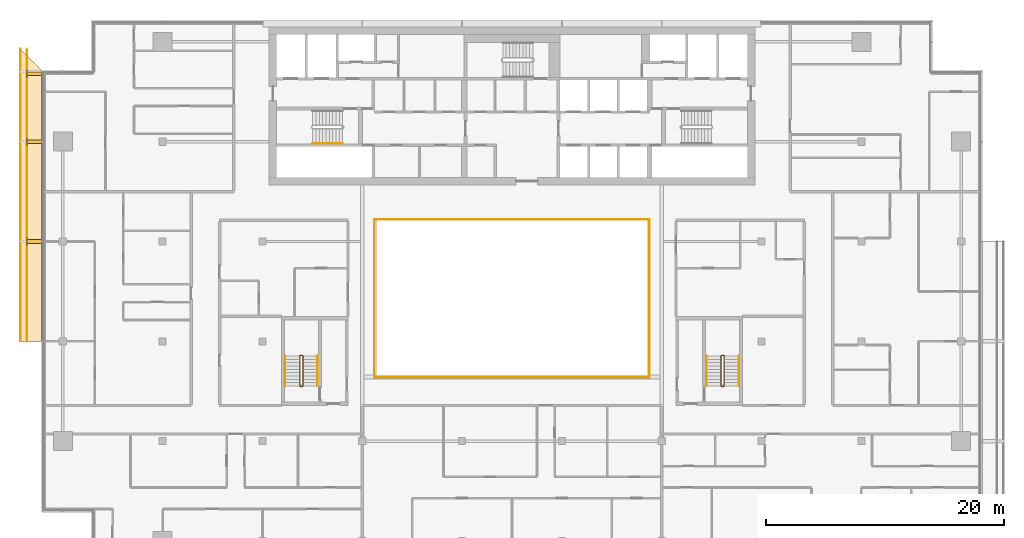
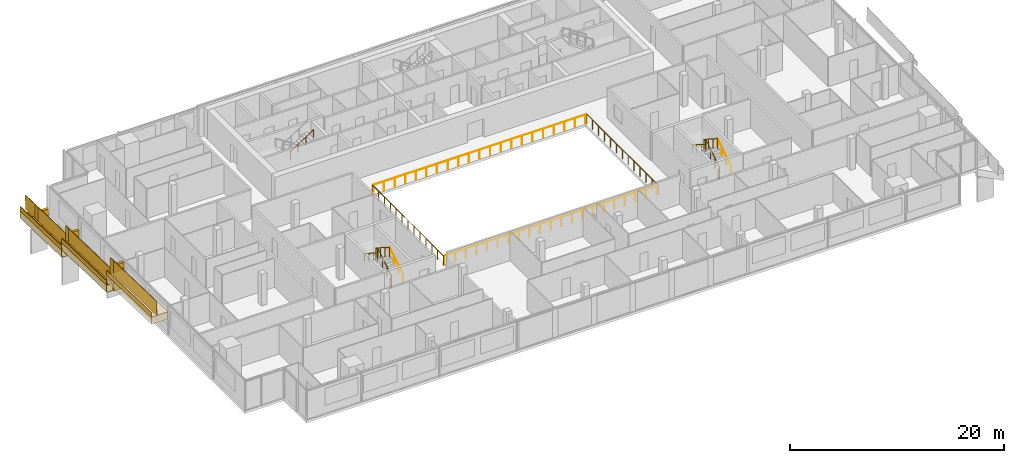
# One storey, part 26 of 28: 17 railings, 9 coverings.
"""IFC4 building model written with IfcOpenShell, lengths in metres."""

from ifc_helpers import new_model, si_unit, direction, frame, origin, origin_2d, place, context, subcontext, project, spatial, polyline, rectangle, circle, outline, extrude, material, layer, layer_set, type_object, element, save


model = new_model("IFC4")

# Units and contexts
model_context = context("Model", 3, precision=1e-05, world=origin(), true_north=direction((0.0, 1.0)))
body_context = subcontext(model_context, "Body", "Model", "MODEL_VIEW")
ifc_project = project(units=[si_unit("LENGTHUNIT", "METRE"), si_unit("AREAUNIT", "SQUARE_METRE"), si_unit("VOLUMEUNIT", "CUBIC_METRE"), si_unit("PLANEANGLEUNIT", "RADIAN"), si_unit("MASSUNIT", "GRAM", prefix="KILO")], contexts=[model_context])

# Site, building, storey
site_placement = place(None, origin())
site = spatial("IfcSite", under=ifc_project, at=site_placement, CompositionType="ELEMENT")
building_placement = place(site_placement, origin())
building = spatial("IfcBuilding", under=site, at=building_placement, Name="Saffron Gate Tower", CompositionType="ELEMENT")
storey_placement = place(building_placement, frame((0.0, 0.0, 241.5)))
storey = spatial("IfcBuildingStorey", under=building, at=storey_placement, Name="L59", CompositionType="ELEMENT", Elevation=241.5)

# Railings
ifc_material_1 = material(Name="Stainless steel and laminated glass", Category="steel")
railing_type_1 = type_object("IfcRailingType", Name="AG1 Atrium edge guard 1100", PredefinedType="GUARDRAIL", material=ifc_material_1)
railing_1_placement = place(storey_placement, frame((76.02001953125, 45.5400390625, 0.0)))
element("IfcRailing", 1, at=railing_1_placement, inside=storey, type_object=railing_type_1, Name="Guard D4-1", PredefinedType="GUARDRAIL", context=body_context, shape_type="SweptSolid", body=[
    extrude(circle(Radius=0.02392578125, at=origin_2d()), frame((0.0, 0.0, 1.076171875), z_axis=(0.0, 1.0, 0.0), x_axis=(-1.0, 0.0, 0.0)), (0.0, 0.0, 1.0), 13.320068359375),
    extrude(circle(Radius=0.02099609375, at=origin_2d()), origin(), (0.0, 0.0, 1.0), 1.052001953125),
    extrude(circle(Radius=0.02099609375, at=origin_2d()), frame((0.0, 1.110107421875, 0.0)), (0.0, 0.0, 1.0), 1.052001953125),
    extrude(circle(Radius=0.02099609375, at=origin_2d()), frame((0.0, 2.219970703125, 0.0)), (0.0, 0.0, 1.0), 1.052001953125),
    extrude(circle(Radius=0.02099609375, at=origin_2d()), frame((0.0, 3.330078125, 0.0)), (0.0, 0.0, 1.0), 1.052001953125),
    extrude(circle(Radius=0.02099609375, at=origin_2d()), frame((0.0, 4.43994140625, 0.0)), (0.0, 0.0, 1.0), 1.052001953125),
    extrude(circle(Radius=0.02099609375, at=origin_2d()), frame((0.0, 5.550048828125, 0.0)), (0.0, 0.0, 1.0), 1.052001953125),
    extrude(circle(Radius=0.02099609375, at=origin_2d()), frame((0.0, 6.66015625, 0.0)), (0.0, 0.0, 1.0), 1.052001953125),
    extrude(circle(Radius=0.02099609375, at=origin_2d()), frame((0.0, 7.77001953125, 0.0)), (0.0, 0.0, 1.0), 1.052001953125),
    extrude(circle(Radius=0.02099609375, at=origin_2d()), frame((0.0, 8.880126953125, 0.0)), (0.0, 0.0, 1.0), 1.052001953125),
    extrude(circle(Radius=0.02099609375, at=origin_2d()), frame((0.0, 9.989990234375, 0.0)), (0.0, 0.0, 1.0), 1.052001953125),
    extrude(circle(Radius=0.02099609375, at=origin_2d()), frame((0.0, 11.10009765625, 0.0)), (0.0, 0.0, 1.0), 1.052001953125),
    extrude(circle(Radius=0.02099609375, at=origin_2d()), frame((0.0, 12.2099609375, 0.0)), (0.0, 0.0, 1.0), 1.052001953125),
    extrude(circle(Radius=0.02099609375, at=origin_2d()), frame((0.0, 13.320068359375, 0.0)), (0.0, 0.0, 1.0), 1.052001953125),
])
railing_2_placement = place(storey_placement, frame((76.139892578125, 58.860107421875, 0.0)))
element("IfcRailing", 2, at=railing_2_placement, inside=storey, type_object=railing_type_1, Name="Guard D4-2", PredefinedType="GUARDRAIL", context=body_context, shape_type="SweptSolid", body=[
    extrude(circle(Radius=0.02392578125, at=origin_2d()), frame((0.0, 0.0, 1.076171875), z_axis=(1.0, 0.0, 0.0), x_axis=(0.0, 1.0, 0.0)), (0.0, 0.0, 1.0), 22.920166015625),
    extrude(circle(Radius=0.02099609375, at=origin_2d()), origin(), (0.0, 0.0, 1.0), 1.052001953125),
    extrude(circle(Radius=0.02099609375, at=origin_2d()), frame((1.14599609375, 0.0, 0.0)), (0.0, 0.0, 1.0), 1.052001953125),
    extrude(circle(Radius=0.02099609375, at=origin_2d()), frame((2.2919921875, 0.0, 0.0)), (0.0, 0.0, 1.0), 1.052001953125),
    extrude(circle(Radius=0.02099609375, at=origin_2d()), frame((3.43798828125, 0.0, 0.0)), (0.0, 0.0, 1.0), 1.052001953125),
    extrude(circle(Radius=0.02099609375, at=origin_2d()), frame((4.583984375, 0.0, 0.0)), (0.0, 0.0, 1.0), 1.052001953125),
    extrude(circle(Radius=0.02099609375, at=origin_2d()), frame((5.72998046875, 0.0, 0.0)), (0.0, 0.0, 1.0), 1.052001953125),
    extrude(circle(Radius=0.02099609375, at=origin_2d()), frame((6.8759765625, 0.0, 0.0)), (0.0, 0.0, 1.0), 1.052001953125),
    extrude(circle(Radius=0.02099609375, at=origin_2d()), frame((8.02197265625, 0.0, 0.0)), (0.0, 0.0, 1.0), 1.052001953125),
    extrude(circle(Radius=0.02099609375, at=origin_2d()), frame((9.16796875, 0.0, 0.0)), (0.0, 0.0, 1.0), 1.052001953125),
    extrude(circle(Radius=0.02099609375, at=origin_2d()), frame((10.31396484375, 0.0, 0.0)), (0.0, 0.0, 1.0), 1.052001953125),
    extrude(circle(Radius=0.02099609375, at=origin_2d()), frame((11.4599609375, 0.0, 0.0)), (0.0, 0.0, 1.0), 1.052001953125),
    extrude(circle(Radius=0.02099609375, at=origin_2d()), frame((12.606201171875, 0.0, 0.0)), (0.0, 0.0, 1.0), 1.052001953125),
    extrude(circle(Radius=0.02099609375, at=origin_2d()), frame((13.752197265625, 0.0, 0.0)), (0.0, 0.0, 1.0), 1.052001953125),
    extrude(circle(Radius=0.02099609375, at=origin_2d()), frame((14.898193359375, 0.0, 0.0)), (0.0, 0.0, 1.0), 1.052001953125),
    extrude(circle(Radius=0.02099609375, at=origin_2d()), frame((16.044189453125, 0.0, 0.0)), (0.0, 0.0, 1.0), 1.052001953125),
    extrude(circle(Radius=0.02099609375, at=origin_2d()), frame((17.190185546875, 0.0, 0.0)), (0.0, 0.0, 1.0), 1.052001953125),
    extrude(circle(Radius=0.02099609375, at=origin_2d()), frame((18.336181640625, 0.0, 0.0)), (0.0, 0.0, 1.0), 1.052001953125),
    extrude(circle(Radius=0.02099609375, at=origin_2d()), frame((19.482177734375, 0.0, 0.0)), (0.0, 0.0, 1.0), 1.052001953125),
    extrude(circle(Radius=0.02099609375, at=origin_2d()), frame((20.628173828125, 0.0, 0.0)), (0.0, 0.0, 1.0), 1.052001953125),
    extrude(circle(Radius=0.02099609375, at=origin_2d()), frame((21.774169921875, 0.0, 0.0)), (0.0, 0.0, 1.0), 1.052001953125),
    extrude(circle(Radius=0.02099609375, at=origin_2d()), frame((22.920166015625, 0.0, 0.0)), (0.0, 0.0, 1.0), 1.052001953125),
])
railing_3_placement = place(storey_placement, frame((99.179931640625, 58.860107421875, 0.0)))
element("IfcRailing", 3, at=railing_3_placement, inside=storey, type_object=railing_type_1, Name="Guard D4-3", PredefinedType="GUARDRAIL", context=body_context, shape_type="SweptSolid", body=[
    extrude(circle(Radius=0.02392578125, at=origin_2d()), frame((0.0, 0.0, 1.076171875), z_axis=(0.0, -1.0, 0.0), x_axis=(1.0, 0.0, 0.0)), (0.0, 0.0, 1.0), 13.320068359375),
    extrude(circle(Radius=0.02099609375, at=origin_2d()), origin(), (0.0, 0.0, 1.0), 1.052001953125),
    extrude(circle(Radius=0.02099609375, at=origin_2d()), frame((0.0, -1.110107421875, 0.0)), (0.0, 0.0, 1.0), 1.052001953125),
    extrude(circle(Radius=0.02099609375, at=origin_2d()), frame((0.0, -2.219970703125, 0.0)), (0.0, 0.0, 1.0), 1.052001953125),
    extrude(circle(Radius=0.02099609375, at=origin_2d()), frame((0.0, -3.330078125, 0.0)), (0.0, 0.0, 1.0), 1.052001953125),
    extrude(circle(Radius=0.02099609375, at=origin_2d()), frame((0.0, -4.43994140625, 0.0)), (0.0, 0.0, 1.0), 1.052001953125),
    extrude(circle(Radius=0.02099609375, at=origin_2d()), frame((0.0, -5.550048828125, 0.0)), (0.0, 0.0, 1.0), 1.052001953125),
    extrude(circle(Radius=0.02099609375, at=origin_2d()), frame((0.0, -6.66015625, 0.0)), (0.0, 0.0, 1.0), 1.052001953125),
    extrude(circle(Radius=0.02099609375, at=origin_2d()), frame((0.0, -7.77001953125, 0.0)), (0.0, 0.0, 1.0), 1.052001953125),
    extrude(circle(Radius=0.02099609375, at=origin_2d()), frame((0.0, -8.880126953125, 0.0)), (0.0, 0.0, 1.0), 1.052001953125),
    extrude(circle(Radius=0.02099609375, at=origin_2d()), frame((0.0, -9.989990234375, 0.0)), (0.0, 0.0, 1.0), 1.052001953125),
    extrude(circle(Radius=0.02099609375, at=origin_2d()), frame((0.0, -11.10009765625, 0.0)), (0.0, 0.0, 1.0), 1.052001953125),
    extrude(circle(Radius=0.02099609375, at=origin_2d()), frame((0.0, -12.2099609375, 0.0)), (0.0, 0.0, 1.0), 1.052001953125),
    extrude(circle(Radius=0.02099609375, at=origin_2d()), frame((0.0, -13.320068359375, 0.0)), (0.0, 0.0, 1.0), 1.052001953125),
])
railing_4_placement = place(storey_placement, frame((99.06005859375, 45.5400390625, 0.0)))
element("IfcRailing", 4, at=railing_4_placement, inside=storey, type_object=railing_type_1, Name="Guard D4-4", PredefinedType="GUARDRAIL", context=body_context, shape_type="SweptSolid", body=[
    extrude(circle(Radius=0.02392578125, at=origin_2d()), frame((0.0, 0.0, 1.076171875), z_axis=(-1.0, 0.0, 0.0), x_axis=(0.0, -1.0, 0.0)), (0.0, 0.0, 1.0), 22.920166015625),
    extrude(circle(Radius=0.02099609375, at=origin_2d()), origin(), (0.0, 0.0, 1.0), 1.052001953125),
    extrude(circle(Radius=0.02099609375, at=origin_2d()), frame((-1.14599609375, 0.0, 0.0)), (0.0, 0.0, 1.0), 1.052001953125),
    extrude(circle(Radius=0.02099609375, at=origin_2d()), frame((-2.2919921875, 0.0, 0.0)), (0.0, 0.0, 1.0), 1.052001953125),
    extrude(circle(Radius=0.02099609375, at=origin_2d()), frame((-3.43798828125, 0.0, 0.0)), (0.0, 0.0, 1.0), 1.052001953125),
    extrude(circle(Radius=0.02099609375, at=origin_2d()), frame((-4.583984375, 0.0, 0.0)), (0.0, 0.0, 1.0), 1.052001953125),
    extrude(circle(Radius=0.02099609375, at=origin_2d()), frame((-5.72998046875, 0.0, 0.0)), (0.0, 0.0, 1.0), 1.052001953125),
    extrude(circle(Radius=0.02099609375, at=origin_2d()), frame((-6.8759765625, 0.0, 0.0)), (0.0, 0.0, 1.0), 1.052001953125),
    extrude(circle(Radius=0.02099609375, at=origin_2d()), frame((-8.02197265625, 0.0, 0.0)), (0.0, 0.0, 1.0), 1.052001953125),
    extrude(circle(Radius=0.02099609375, at=origin_2d()), frame((-9.16796875, 0.0, 0.0)), (0.0, 0.0, 1.0), 1.052001953125),
    extrude(circle(Radius=0.02099609375, at=origin_2d()), frame((-10.31396484375, 0.0, 0.0)), (0.0, 0.0, 1.0), 1.052001953125),
    extrude(circle(Radius=0.02099609375, at=origin_2d()), frame((-11.4599609375, 0.0, 0.0)), (0.0, 0.0, 1.0), 1.052001953125),
    extrude(circle(Radius=0.02099609375, at=origin_2d()), frame((-12.606201171875, 0.0, 0.0)), (0.0, 0.0, 1.0), 1.052001953125),
    extrude(circle(Radius=0.02099609375, at=origin_2d()), frame((-13.752197265625, 0.0, 0.0)), (0.0, 0.0, 1.0), 1.052001953125),
    extrude(circle(Radius=0.02099609375, at=origin_2d()), frame((-14.898193359375, 0.0, 0.0)), (0.0, 0.0, 1.0), 1.052001953125),
    extrude(circle(Radius=0.02099609375, at=origin_2d()), frame((-16.044189453125, 0.0, 0.0)), (0.0, 0.0, 1.0), 1.052001953125),
    extrude(circle(Radius=0.02099609375, at=origin_2d()), frame((-17.190185546875, 0.0, 0.0)), (0.0, 0.0, 1.0), 1.052001953125),
    extrude(circle(Radius=0.02099609375, at=origin_2d()), frame((-18.336181640625, 0.0, 0.0)), (0.0, 0.0, 1.0), 1.052001953125),
    extrude(circle(Radius=0.02099609375, at=origin_2d()), frame((-19.482177734375, 0.0, 0.0)), (0.0, 0.0, 1.0), 1.052001953125),
    extrude(circle(Radius=0.02099609375, at=origin_2d()), frame((-20.628173828125, 0.0, 0.0)), (0.0, 0.0, 1.0), 1.052001953125),
    extrude(circle(Radius=0.02099609375, at=origin_2d()), frame((-21.774169921875, 0.0, 0.0)), (0.0, 0.0, 1.0), 1.052001953125),
    extrude(circle(Radius=0.02099609375, at=origin_2d()), frame((-22.920166015625, 0.0, 0.0)), (0.0, 0.0, 1.0), 1.052001953125),
])
railing_type_2 = type_object("IfcRailingType", Name="CR1 Stair guard 1100", PredefinedType="GUARDRAIL", material=ifc_material_1)
railing_5_placement = place(storey_placement, frame((69.800048828125, 44.800048828125, 0.0)))
element("IfcRailing", 5, at=railing_5_placement, inside=storey, type_object=railing_type_2, Name="L59 ST-D stair guard 1", PredefinedType="GUARDRAIL", context=body_context, shape_type="SweptSolid", body=[
    extrude(circle(Radius=0.02392578125, at=origin_2d()), frame((0.0, 0.0, 1.076171875), z_axis=(1.0, 0.0, 0.0), x_axis=(0.0, 1.0, 0.0)), (0.0, 0.0, 1.0), 0.14990234375),
    extrude(circle(Radius=0.02392578125, at=origin_2d()), frame((0.14990234375, 0.0, 1.076171875), z_axis=(0.258847668887, 0.258847668887, 0.930588936439), x_axis=(-0.707106781187, 0.707106781187, 0.0)), (0.0, 0.0, 1.0), 0.193359375),
    extrude(circle(Radius=0.02392578125, at=origin_2d()), frame((0.199951171875, 0.050048828125, 1.255859375), z_axis=(0.0, 0.841162588446, 0.540782303519), x_axis=(-1.0, 0.0, 0.0)), (0.0, 0.0, 1.0), 2.995849609375),
    extrude(circle(Radius=0.02392578125, at=origin_2d()), frame((0.199951171875, 2.570068359375, 2.8759765625), z_axis=(-0.708833529934, 0.705375805398, 0.0), x_axis=(-0.705375805398, -0.708833529934, 0.0)), (0.0, 0.0, 1.0), 0.070556640625),
    extrude(circle(Radius=0.02392578125, at=origin_2d()), frame((0.14990234375, 2.619873046875, 2.8759765625), z_axis=(-1.0, 0.0, 0.0), x_axis=(0.0, -1.0, 0.0)), (0.0, 0.0, 1.0), 0.14990234375),
    extrude(circle(Radius=0.02392578125, at=origin_2d()), frame((0.0, 2.619873046875, 2.8759765625), z_axis=(-0.258932105505, -0.257669022063, 0.930892496375), x_axis=(0.705375805398, -0.708833529934, 0.0)), (0.0, 0.0, 1.0), 0.193359375),
    extrude(circle(Radius=0.02392578125, at=origin_2d()), frame((-0.050048828125, 2.570068359375, 3.05615234375), z_axis=(0.0, -0.841162588446, 0.540782303519), x_axis=(1.0, 0.0, 0.0)), (0.0, 0.0, 1.0), 2.995849609375),
    extrude(circle(Radius=0.02099609375, at=origin_2d()), origin(), (0.0, 0.0, 1.0), 1.052001953125),
    extrude(circle(Radius=0.02099609375, at=origin_2d()), frame((0.14990234375, 0.0, 0.0)), (0.0, 0.0, 1.0), 1.052001953125),
    extrude(circle(Radius=0.02099609375, at=origin_2d()), frame((0.199951171875, 0.050048828125, 0.179931640625)), (0.0, 0.0, 1.0), 1.052001953125),
    extrude(circle(Radius=0.02099609375, at=origin_2d()), frame((0.199951171875, 0.89013671875, 0.719970703125)), (0.0, 0.0, 1.0), 1.052001953125),
    extrude(circle(Radius=0.02099609375, at=origin_2d()), frame((0.199951171875, 1.72998046875, 1.260009765625)), (0.0, 0.0, 1.0), 1.052001953125),
    extrude(circle(Radius=0.02099609375, at=origin_2d()), frame((0.199951171875, 2.570068359375, 1.800048828125)), (0.0, 0.0, 1.0), 1.052001953125),
    extrude(circle(Radius=0.02099609375, at=origin_2d()), frame((0.14990234375, 2.619873046875, 1.800048828125)), (0.0, 0.0, 1.0), 1.052001953125),
    extrude(circle(Radius=0.02099609375, at=origin_2d()), frame((0.0, 2.619873046875, 1.800048828125)), (0.0, 0.0, 1.0), 1.052001953125),
    extrude(circle(Radius=0.02099609375, at=origin_2d()), frame((-0.050048828125, 2.570068359375, 1.97998046875)), (0.0, 0.0, 1.0), 1.052001953125),
    extrude(circle(Radius=0.02099609375, at=origin_2d()), frame((-0.050048828125, 1.72998046875, 2.52001953125)), (0.0, 0.0, 1.0), 1.052001953125),
    extrude(circle(Radius=0.02099609375, at=origin_2d()), frame((-0.050048828125, 0.89013671875, 3.06005859375)), (0.0, 0.0, 1.0), 1.052001953125),
    extrude(circle(Radius=0.02099609375, at=origin_2d()), frame((-0.050048828125, 0.050048828125, 3.60009765625)), (0.0, 0.0, 1.0), 1.052001953125),
])
railing_6_placement = place(storey_placement, frame((105.25, 44.800048828125, 0.0)))
element("IfcRailing", 6, at=railing_6_placement, inside=storey, type_object=railing_type_2, Name="L59 ST-E stair guard 1", PredefinedType="GUARDRAIL", context=body_context, shape_type="SweptSolid", body=[
    extrude(circle(Radius=0.02392578125, at=origin_2d()), frame((0.0, 0.0, 1.076171875), z_axis=(1.0, 0.0, 0.0), x_axis=(0.0, 1.0, 0.0)), (0.0, 0.0, 1.0), 0.14990234375),
    extrude(circle(Radius=0.02392578125, at=origin_2d()), frame((0.14990234375, 0.0, 1.076171875), z_axis=(0.258847668887, 0.258847668887, 0.930588936439), x_axis=(-0.707106781187, 0.707106781187, 0.0)), (0.0, 0.0, 1.0), 0.193359375),
    extrude(circle(Radius=0.02392578125, at=origin_2d()), frame((0.199951171875, 0.050048828125, 1.255859375), z_axis=(0.0, 0.841162588446, 0.540782303519), x_axis=(-1.0, 0.0, 0.0)), (0.0, 0.0, 1.0), 2.995849609375),
    extrude(circle(Radius=0.02392578125, at=origin_2d()), frame((0.199951171875, 2.570068359375, 2.8759765625), z_axis=(-0.708833529934, 0.705375805398, 0.0), x_axis=(-0.705375805398, -0.708833529934, 0.0)), (0.0, 0.0, 1.0), 0.070556640625),
    extrude(circle(Radius=0.02392578125, at=origin_2d()), frame((0.14990234375, 2.619873046875, 2.8759765625), z_axis=(-1.0, 0.0, 0.0), x_axis=(0.0, -1.0, 0.0)), (0.0, 0.0, 1.0), 0.14990234375),
    extrude(circle(Radius=0.02392578125, at=origin_2d()), frame((0.0, 2.619873046875, 2.8759765625), z_axis=(-0.258932105505, -0.257669022063, 0.930892496375), x_axis=(0.705375805398, -0.708833529934, 0.0)), (0.0, 0.0, 1.0), 0.193359375),
    extrude(circle(Radius=0.02392578125, at=origin_2d()), frame((-0.050048828125, 2.570068359375, 3.05615234375), z_axis=(0.0, -0.841162588446, 0.540782303519), x_axis=(1.0, 0.0, 0.0)), (0.0, 0.0, 1.0), 2.995849609375),
    extrude(circle(Radius=0.02099609375, at=origin_2d()), origin(), (0.0, 0.0, 1.0), 1.052001953125),
    extrude(circle(Radius=0.02099609375, at=origin_2d()), frame((0.14990234375, 0.0, 0.0)), (0.0, 0.0, 1.0), 1.052001953125),
    extrude(circle(Radius=0.02099609375, at=origin_2d()), frame((0.199951171875, 0.050048828125, 0.179931640625)), (0.0, 0.0, 1.0), 1.052001953125),
    extrude(circle(Radius=0.02099609375, at=origin_2d()), frame((0.199951171875, 0.89013671875, 0.719970703125)), (0.0, 0.0, 1.0), 1.052001953125),
    extrude(circle(Radius=0.02099609375, at=origin_2d()), frame((0.199951171875, 1.72998046875, 1.260009765625)), (0.0, 0.0, 1.0), 1.052001953125),
    extrude(circle(Radius=0.02099609375, at=origin_2d()), frame((0.199951171875, 2.570068359375, 1.800048828125)), (0.0, 0.0, 1.0), 1.052001953125),
    extrude(circle(Radius=0.02099609375, at=origin_2d()), frame((0.14990234375, 2.619873046875, 1.800048828125)), (0.0, 0.0, 1.0), 1.052001953125),
    extrude(circle(Radius=0.02099609375, at=origin_2d()), frame((0.0, 2.619873046875, 1.800048828125)), (0.0, 0.0, 1.0), 1.052001953125),
    extrude(circle(Radius=0.02099609375, at=origin_2d()), frame((-0.050048828125, 2.570068359375, 1.97998046875)), (0.0, 0.0, 1.0), 1.052001953125),
    extrude(circle(Radius=0.02099609375, at=origin_2d()), frame((-0.050048828125, 1.72998046875, 2.52001953125)), (0.0, 0.0, 1.0), 1.052001953125),
    extrude(circle(Radius=0.02099609375, at=origin_2d()), frame((-0.050048828125, 0.89013671875, 3.06005859375)), (0.0, 0.0, 1.0), 1.052001953125),
    extrude(circle(Radius=0.02099609375, at=origin_2d()), frame((-0.050048828125, 0.050048828125, 3.60009765625)), (0.0, 0.0, 1.0), 1.052001953125),
])
ifc_material_2 = material(Name="Stainless steel", Category="steel")
railing_type_3 = type_object("IfcRailingType", Name="CR2 Stair handrail 900", PredefinedType="HANDRAIL", material=ifc_material_2)
railing_7_placement = place(storey_placement, frame((70.830078125, 65.25, 1.97998046875)))
element("IfcRailing", 7, at=railing_7_placement, inside=storey, type_object=railing_type_3, Name="L59 ST-A stair handrail 2", PredefinedType="HANDRAIL", context=body_context, shape_type="SweptSolid", body=[
    extrude(circle(Radius=0.02392578125, at=origin_2d()), frame((0.0, 0.0, 0.8759765625), z_axis=(0.841162588446, 0.0, 0.540782303519), x_axis=(0.0, 1.0, 0.0)), (0.0, 0.0, 1.0), 2.995849609375),
    extrude(circle(Radius=0.02099609375, at=origin_2d()), origin(), (0.0, 0.0, 1.0), 0.851806640625),
    extrude(circle(Radius=0.02099609375, at=origin_2d()), frame((0.840087890625, 0.0, 0.5400390625)), (0.0, 0.0, 1.0), 0.851806640625),
    extrude(circle(Radius=0.02099609375, at=origin_2d()), frame((1.679931640625, 0.0, 1.080078125)), (0.0, 0.0, 1.0), 0.851806640625),
    extrude(circle(Radius=0.02099609375, at=origin_2d()), frame((2.52001953125, 0.0, 1.6201171875)), (0.0, 0.0, 1.0), 0.851806640625),
])
railing_8_placement = place(storey_placement, frame((71.25, 44.85009765625, 0.179931640625)))
element("IfcRailing", 8, at=railing_8_placement, inside=storey, type_object=railing_type_3, Name="L59 ST-D stair handrail 1", PredefinedType="HANDRAIL", context=body_context, shape_type="SweptSolid", body=[
    extrude(circle(Radius=0.02392578125, at=origin_2d()), frame((0.0, 0.0, 0.8759765625), z_axis=(0.0, 0.841162588446, 0.540782303519), x_axis=(-1.0, 0.0, 0.0)), (0.0, 0.0, 1.0), 2.995849609375),
    extrude(circle(Radius=0.02099609375, at=origin_2d()), origin(), (0.0, 0.0, 1.0), 0.851806640625),
    extrude(circle(Radius=0.02099609375, at=origin_2d()), frame((0.0, 0.840087890625, 0.5400390625)), (0.0, 0.0, 1.0), 0.851806640625),
    extrude(circle(Radius=0.02099609375, at=origin_2d()), frame((0.0, 1.679931640625, 1.080078125)), (0.0, 0.0, 1.0), 0.851806640625),
    extrude(circle(Radius=0.02099609375, at=origin_2d()), frame((0.0, 2.52001953125, 1.6201171875)), (0.0, 0.0, 1.0), 0.851806640625),
])
railing_9_placement = place(storey_placement, frame((68.5, 47.3701171875, 1.97998046875)))
element("IfcRailing", 9, at=railing_9_placement, inside=storey, type_object=railing_type_3, Name="L59 ST-D stair handrail 2", PredefinedType="HANDRAIL", context=body_context, shape_type="SweptSolid", body=[
    extrude(circle(Radius=0.02392578125, at=origin_2d()), frame((0.0, 0.0, 0.8759765625), z_axis=(0.0, -0.841162588446, 0.540782303519), x_axis=(1.0, 0.0, 0.0)), (0.0, 0.0, 1.0), 2.995849609375),
    extrude(circle(Radius=0.02099609375, at=origin_2d()), origin(), (0.0, 0.0, 1.0), 0.851806640625),
    extrude(circle(Radius=0.02099609375, at=origin_2d()), frame((0.0, -0.840087890625, 0.5400390625)), (0.0, 0.0, 1.0), 0.851806640625),
    extrude(circle(Radius=0.02099609375, at=origin_2d()), frame((0.0, -1.679931640625, 1.080078125)), (0.0, 0.0, 1.0), 0.851806640625),
    extrude(circle(Radius=0.02099609375, at=origin_2d()), frame((0.0, -2.52001953125, 1.6201171875)), (0.0, 0.0, 1.0), 0.851806640625),
])
railing_10_placement = place(storey_placement, frame((106.699951171875, 44.85009765625, 0.179931640625)))
element("IfcRailing", 10, at=railing_10_placement, inside=storey, type_object=railing_type_3, Name="L59 ST-E stair handrail 1", PredefinedType="HANDRAIL", context=body_context, shape_type="SweptSolid", body=[
    extrude(circle(Radius=0.02392578125, at=origin_2d()), frame((0.0, 0.0, 0.8759765625), z_axis=(0.0, 0.841162588446, 0.540782303519), x_axis=(-1.0, 0.0, 0.0)), (0.0, 0.0, 1.0), 2.995849609375),
    extrude(circle(Radius=0.02099609375, at=origin_2d()), origin(), (0.0, 0.0, 1.0), 0.851806640625),
    extrude(circle(Radius=0.02099609375, at=origin_2d()), frame((0.0, 0.840087890625, 0.5400390625)), (0.0, 0.0, 1.0), 0.851806640625),
    extrude(circle(Radius=0.02099609375, at=origin_2d()), frame((0.0, 1.679931640625, 1.080078125)), (0.0, 0.0, 1.0), 0.851806640625),
    extrude(circle(Radius=0.02099609375, at=origin_2d()), frame((0.0, 2.52001953125, 1.6201171875)), (0.0, 0.0, 1.0), 0.851806640625),
])
railing_11_placement = place(storey_placement, frame((103.949951171875, 47.3701171875, 1.97998046875)))
element("IfcRailing", 11, at=railing_11_placement, inside=storey, type_object=railing_type_3, Name="L59 ST-E stair handrail 2", PredefinedType="HANDRAIL", context=body_context, shape_type="SweptSolid", body=[
    extrude(circle(Radius=0.02392578125, at=origin_2d()), frame((0.0, 0.0, 0.8759765625), z_axis=(0.0, -0.841162588446, 0.540782303519), x_axis=(1.0, 0.0, 0.0)), (0.0, 0.0, 1.0), 2.995849609375),
    extrude(circle(Radius=0.02099609375, at=origin_2d()), origin(), (0.0, 0.0, 1.0), 0.851806640625),
    extrude(circle(Radius=0.02099609375, at=origin_2d()), frame((0.0, -0.840087890625, 0.5400390625)), (0.0, 0.0, 1.0), 0.851806640625),
    extrude(circle(Radius=0.02099609375, at=origin_2d()), frame((0.0, -1.679931640625, 1.080078125)), (0.0, 0.0, 1.0), 0.851806640625),
    extrude(circle(Radius=0.02099609375, at=origin_2d()), frame((0.0, -2.52001953125, 1.6201171875)), (0.0, 0.0, 1.0), 0.851806640625),
])

# Coverings
ifc_material_3 = material(Name="Timber, thermally modified ash", Category="wood")
ifc_layer_1 = layer(ifc_material_3, 0.800048828125)
ifc_layer_set_1 = layer_set([ifc_layer_1], Name="LD1 ledge timber")
covering_type_1 = type_object("IfcCoveringType", Name="LD1 ledge timber", PredefinedType="CLADDING", material=ifc_layer_set_1)
covering_1_placement = place(storey_placement, frame((48.0, 71.39990234375, -0.07177734375), z_axis=(2.391759e-05, 0.028789477025, 0.999585496814), x_axis=(-1.72e-10, -0.9995854971, 0.028789477033)))
element("IfcCovering", 12, at=covering_1_placement, inside=storey, type_object=covering_type_1, Name="LEDGE", PredefinedType="CLADDING", context=body_context, shape_type="SweptSolid", body=[
    extrude(outline(polyline([(0.0, 0.0), (6.002489288687248, -8.470329472543003e-22), (6.002489288996045, -1.8000488276101398), (-1.800792782710612, -1.8000488299785034), (0.0, 0.0)])), origin(), (0.0, 0.0, -1.0), 0.800048828125),
])
for number, where, z_axis, x_axis, name in (
    (13, (48.0, 65.39990234375, 0.95849609375), (0.0, 0.028791175352, 0.999585448184), (0.0, -0.999585448184, 0.028791175352), "LEDGE"),
    (14, (48.0, 57.0, 2.40087890625), (0.0, 0.028791175352, 0.999585448184), (0.0, -0.999585448184, 0.028791175352), "LEDGE"),
):
    element("IfcCovering", number, at=place(storey_placement, frame(where, z_axis=z_axis, x_axis=x_axis)), inside=storey, type_object=covering_type_1, Name=name, PredefinedType="CLADDING", context=body_context, shape_type="SweptSolid", body=[
        extrude(outline(polyline([(0.0, 0.0), (8.403385982666892, 0.0), (8.403385982666892, -1.800048828125), (0.0, -1.800048828125), (0.0, 0.0)])), origin(), (0.0, 0.0, -1.0), 0.800048828125),
    ])
ifc_layer_2 = layer(ifc_material_3, 0.080078125)
ifc_layer_set_2 = layer_set([ifc_layer_2], Name="LD2 ledge planter trough")
covering_type_2 = type_object("IfcCoveringType", Name="LD2 ledge planter trough", PredefinedType="CLADDING", material=ifc_layer_set_2)
covering_2_placement = place(storey_placement, frame((46.199951171875, 73.199951171875, -0.12353515625), z_axis=(-1.0, 0.0, 0.0), x_axis=(0.0, -0.999585655924, 0.028783962047)))
element("IfcCovering", 15, at=covering_2_placement, inside=storey, type_object=covering_type_2, Name="LEDGE planter trough", PredefinedType="CLADDING", context=body_context, shape_type="SweptSolid", body=[
    extrude(outline(polyline([(0.0, 0.0), (7.803282071825423, 2.7755575615628914e-17), (7.817674052849086, 0.4997928279619612), (0.014391981023662846, 0.4997928279619612), (0.0, 0.0)])), origin(), (0.0, 0.0, -1.0), 0.080078125),
])
for number, where, z_axis, x_axis, name in (
    (16, (46.199951171875, 65.39990234375, 0.95849609375), (-1.0, 0.0, 0.0), (0.0, -0.999585448184, 0.028791175352), "LEDGE planter trough"),
    (17, (46.199951171875, 57.0, 2.40087890625), (-1.0, 0.0, 0.0), (0.0, -0.999585448184, 0.028791175352), "LEDGE planter trough"),
):
    element("IfcCovering", number, at=place(storey_placement, frame(where, z_axis=z_axis, x_axis=x_axis)), inside=storey, type_object=covering_type_2, Name=name, PredefinedType="CLADDING", context=body_context, shape_type="SweptSolid", body=[
        extrude(outline(polyline([(0.0, 0.0), (8.403385982666892, 0.0), (8.417781570342743, 0.49979272409216496), (0.014395587675851172, 0.4997927240921649), (0.0, 0.0)])), origin(), (0.0, 0.0, -1.0), 0.080078125),
    ])
ifc_layer_3 = layer(ifc_material_3, 0.300048828125)
ifc_layer_set_3 = layer_set([ifc_layer_3], Name="LD3 ledge riser fin")
covering_type_3 = type_object("IfcCoveringType", Name="LD3 ledge riser fin", PredefinedType="CLADDING", material=ifc_layer_set_3)
covering_3_placement = place(storey_placement, frame((47.43994140625, 71.10009765625, -1.12890625), z_axis=(0.0, 0.0, 1.0), x_axis=(0.0, -1.0, 0.0)))
element("IfcCovering", 18, at=covering_3_placement, inside=storey, type_object=covering_type_3, Name="LEDGE riser fin", PredefinedType="CLADDING", context=body_context, shape_type="SweptSolid", body=[
    extrude(rectangle(XDim=0.300048828125, YDim=1.1201171875, at=origin_2d()), origin(), (0.0, 0.0, 1.0), 1.957275390625),
])
covering_4_placement = place(storey_placement, frame((47.43994140625, 65.39990234375, -0.69873046875), z_axis=(0.0, 0.0, 1.0), x_axis=(0.0, -1.0, 0.0)))
element("IfcCovering", 19, at=covering_4_placement, inside=storey, type_object=covering_type_3, Name="LEDGE riser fin", PredefinedType="CLADDING", context=body_context, shape_type="SweptSolid", body=[
    extrude(rectangle(XDim=0.300048828125, YDim=1.1201171875, at=origin_2d()), origin(), (0.0, 0.0, 1.0), 2.557373046875),
])
covering_5_placement = place(storey_placement, frame((47.43994140625, 57.0, 0.400390625), z_axis=(0.0, 0.0, 1.0), x_axis=(0.0, -1.0, 0.0)))
element("IfcCovering", 20, at=covering_5_placement, inside=storey, type_object=covering_type_3, Name="LEDGE riser fin", PredefinedType="CLADDING", context=body_context, shape_type="SweptSolid", body=[
    extrude(rectangle(XDim=0.300048828125, YDim=1.1201171875, at=origin_2d()), origin(), (0.0, 0.0, 1.0), 2.900390625),
])

# Railings
railing_type_4 = type_object("IfcRailingType", Name="LG1 ledge balustrade", PredefinedType="BALUSTRADE", material=ifc_material_3)
railing_12_placement = place(storey_placement, frame((46.800048828125, 73.199951171875, -0.12353515625)))
element("IfcRailing", 21, at=railing_12_placement, inside=storey, type_object=railing_type_4, Name="LEDGE BALUSTRADE", PredefinedType="BALUSTRADE", context=body_context, shape_type="SweptSolid", body=[
    extrude(rectangle(XDim=0.06005859375, YDim=1.60009765625, at=origin_2d()), frame((0.0, 0.0, 0.800048828125), z_axis=(0.0, -0.999585655924, 0.028783962047), x_axis=(1.0, 0.0, 0.0)), (0.0, 0.0, 1.0), 7.80322265625),
])
railing_13_placement = place(storey_placement, frame((46.800048828125, 71.39990234375, -0.3291015625)))
element("IfcRailing", 22, at=railing_13_placement, inside=storey, type_object=railing_type_4, Name="LEDGE BALUSTRADE", PredefinedType="BALUSTRADE", context=body_context, shape_type="SweptSolid", body=[
    extrude(rectangle(XDim=0.06005859375, YDim=1.857177734375, at=origin_2d()), frame((0.0, 0.0, 0.9287109375), z_axis=(0.0, -1.0, 0.0), x_axis=(1.0, 0.0, 0.0)), (0.0, 0.0, 1.0), 0.599853515625),
])
railing_14_placement = place(storey_placement, frame((46.800048828125, 65.39990234375, 0.95849609375)))
element("IfcRailing", 23, at=railing_14_placement, inside=storey, type_object=railing_type_4, Name="LEDGE BALUSTRADE", PredefinedType="BALUSTRADE", context=body_context, shape_type="SweptSolid", body=[
    extrude(rectangle(XDim=0.06005859375, YDim=1.60009765625, at=origin_2d()), frame((0.0, 0.0, 0.800048828125), z_axis=(0.0, -0.999585448184, 0.028791175352), x_axis=(1.0, 0.0, 0.0)), (0.0, 0.0, 1.0), 8.4033203125),
])
railing_15_placement = place(storey_placement, frame((46.800048828125, 65.699951171875, 0.10107421875)))
element("IfcRailing", 24, at=railing_15_placement, inside=storey, type_object=railing_type_4, Name="LEDGE BALUSTRADE", PredefinedType="BALUSTRADE", context=body_context, shape_type="SweptSolid", body=[
    extrude(rectangle(XDim=0.06005859375, YDim=2.45751953125, at=origin_2d()), frame((0.0, 0.0, 1.228759765625), z_axis=(0.0, -1.0, 0.0), x_axis=(1.0, 0.0, 0.0)), (0.0, 0.0, 1.0), 0.599853515625),
])
railing_16_placement = place(storey_placement, frame((46.800048828125, 57.0, 2.40087890625)))
element("IfcRailing", 25, at=railing_16_placement, inside=storey, type_object=railing_type_4, Name="LEDGE BALUSTRADE", PredefinedType="BALUSTRADE", context=body_context, shape_type="SweptSolid", body=[
    extrude(rectangle(XDim=0.06005859375, YDim=1.60009765625, at=origin_2d()), frame((0.0, 0.0, 0.800048828125), z_axis=(0.0, -0.999585448184, 0.028791175352), x_axis=(1.0, 0.0, 0.0)), (0.0, 0.0, 1.0), 8.4033203125),
])
railing_17_placement = place(storey_placement, frame((46.800048828125, 57.300048828125, 1.200439453125)))
element("IfcRailing", 26, at=railing_17_placement, inside=storey, type_object=railing_type_4, Name="LEDGE BALUSTRADE", PredefinedType="BALUSTRADE", context=body_context, shape_type="SweptSolid", body=[
    extrude(rectangle(XDim=0.06005859375, YDim=2.80029296875, at=origin_2d()), frame((0.0, 0.0, 1.400146484375), z_axis=(0.0, -1.0, 0.0), x_axis=(1.0, 0.0, 0.0)), (0.0, 0.0, 1.0), 0.60009765625),
])

save(model, "model.ifc")
